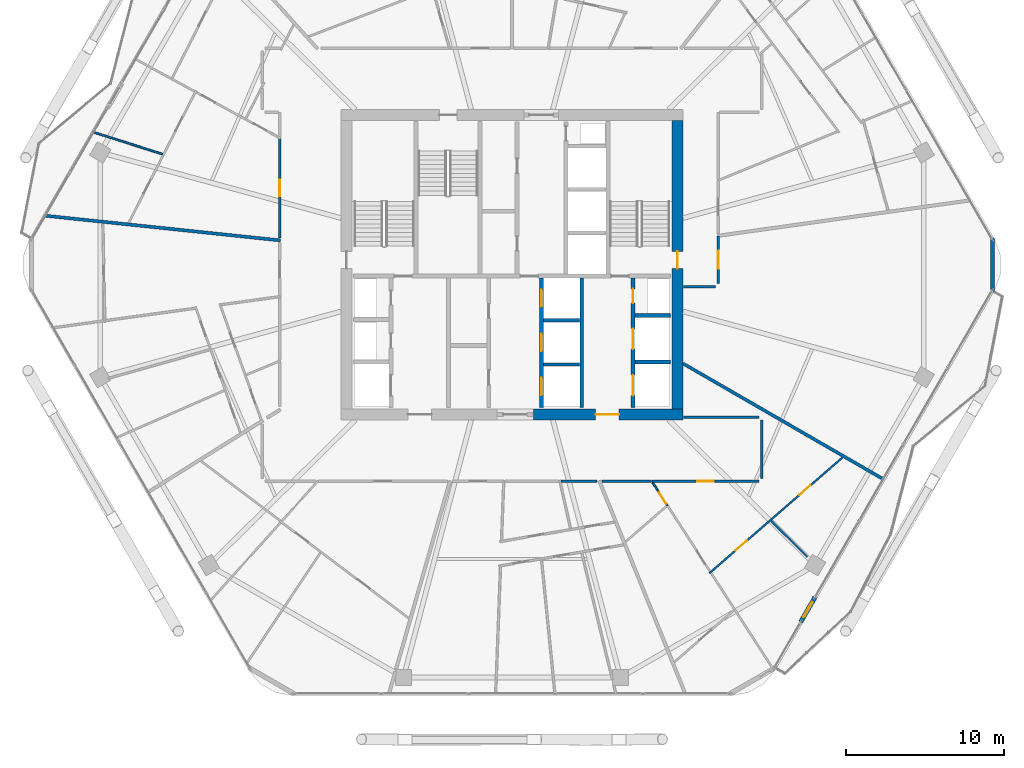
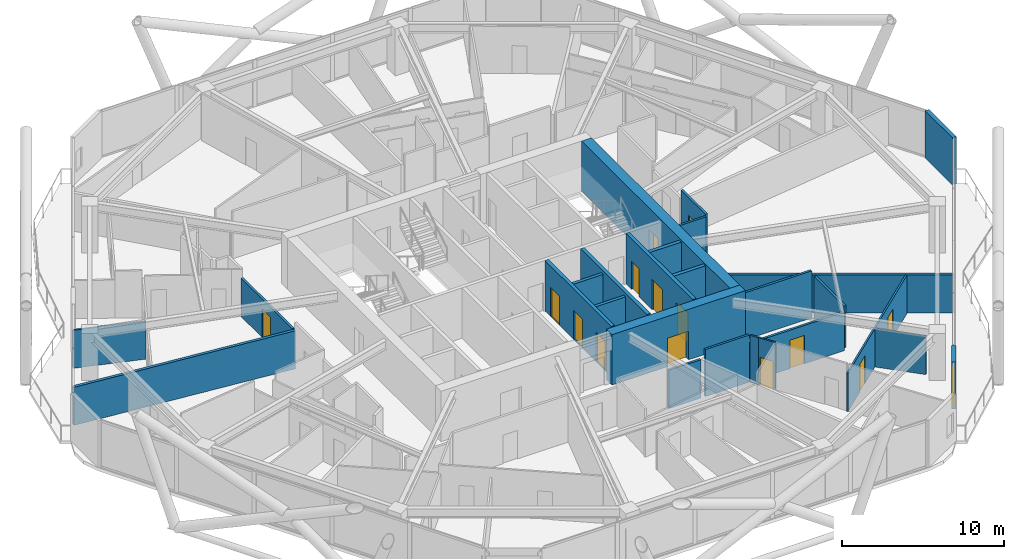
# One storey, part 22 of 28: 26 walls, 15 doors, 15 openings.
"""IFC4 building model written with IfcOpenShell, lengths in metres."""

import ifcopenshell
import ifcopenshell.guid

model = None  # the IFC model being written
_history = None  # IfcOwnerHistory: only IFC2X3 demands one
_inside = {}  # id of a spatial element -> (the spatial element, [elements in it])
_under = {}  # id of a project, library or spatial element -> (it, [spatial elements below it])
_declared = {}  # id of a project -> (the project, [libraries it declares])
_typed = {}  # id of a type object -> (the type object, [elements of that type])
_made_of = {}  # id of a material, layer set ... -> (it, [elements and type objects made of it])


def new_model(schema):
    """Start an empty IFC model of exactly this schema.

    Asked for "IFC4X3", IfcOpenShell would pick the latest addendum, in which some entities
    have other attributes; the version numbers below select the first issue.
    IFC2X3 requires an IfcOwnerHistory on every rooted entity: one is made here for all.
    """
    global model, _history
    if schema == "IFC4X3":
        model = ifcopenshell.file(schema_version=(4, 3, 0, 0))
    else:
        model = ifcopenshell.file(schema=schema)
    _inside.clear()
    _under.clear()
    _declared.clear()
    _typed.clear()
    _made_of.clear()
    _history = None
    if model.schema == "IFC2X3":
        org = make("IfcOrganization", Name="unknown")
        user = make(
            "IfcPersonAndOrganization",
            ThePerson=make("IfcPerson", FamilyName="unknown"),
            TheOrganization=org,
        )
        app = make(
            "IfcApplication",
            ApplicationDeveloper=org,
            Version="unknown",
            ApplicationFullName="unknown",
            ApplicationIdentifier="unknown",
        )
        _history = make(
            "IfcOwnerHistory",
            OwningUser=user,
            OwningApplication=app,
            ChangeAction="ADDED",
            CreationDate=0,
        )
    return model


def make(cls, **values):
    """One entity of the class cls with the attributes given. An attribute that is None is left unset."""
    return model.create_entity(
        cls, **{name: value for name, value in values.items() if value is not None}
    )


def rooted(cls, **values):
    """An entity with a GlobalId (a new one), such as an element, a storey or a relation."""
    return make(cls, GlobalId=ifcopenshell.guid.new(), OwnerHistory=_history, **values)


def si_unit(unit_type, name, prefix=None):
    """IfcSIUnit, for example si_unit("LENGTHUNIT", "METRE", prefix="MILLI")."""
    return make("IfcSIUnit", UnitType=unit_type, Prefix=prefix, Name=name)


def assignment(units):
    """IfcUnitAssignment: the units of a project."""
    return None if units is None else make("IfcUnitAssignment", Units=units)


def point(xyz):
    """IfcCartesianPoint."""
    return None if xyz is None else make("IfcCartesianPoint", Coordinates=xyz)


def direction(xyz):
    """IfcDirection."""
    return None if xyz is None else make("IfcDirection", DirectionRatios=xyz)


def frame(location, z_axis=None, x_axis=None):
    """IfcAxis2Placement3D, a coordinate frame: its origin and axes. An axis left out is left unset."""
    return make(
        "IfcAxis2Placement3D",
        Location=point(location),
        Axis=direction(z_axis),
        RefDirection=direction(x_axis),
    )


def frame_2d(location, x_axis=None):
    """IfcAxis2Placement2D, a coordinate frame in the plane: its origin and x axis."""
    return make(
        "IfcAxis2Placement2D", Location=point(location), RefDirection=direction(x_axis)
    )


def origin():
    """The frame at (0, 0, 0) with its axes left unset."""
    return frame((0.0, 0.0, 0.0))


def place(relative_to, where):
    """IfcLocalPlacement: puts the frame where relative to a parent placement (None: the world)."""
    return make(
        "IfcLocalPlacement", PlacementRelTo=relative_to, RelativePlacement=where
    )


def context(
    kind, dimensions, precision=None, world=None, true_north=None, identifier=None
):
    """IfcGeometricRepresentationContext, for example the 3D "Model" context."""
    return make(
        "IfcGeometricRepresentationContext",
        ContextIdentifier=identifier,
        ContextType=kind,
        CoordinateSpaceDimension=dimensions,
        Precision=precision,
        WorldCoordinateSystem=world,
        TrueNorth=true_north,
    )


def subcontext(parent, identifier, kind, view, scale=None):
    """IfcGeometricRepresentationSubContext, for example "Body" below "Model"."""
    return make(
        "IfcGeometricRepresentationSubContext",
        ContextIdentifier=identifier,
        ContextType=kind,
        ParentContext=parent,
        TargetScale=scale,
        TargetView=view,
    )


def project(units=None, contexts=None):
    """IfcProject with its units and contexts."""
    return rooted(
        "IfcProject",
        Name="project",
        RepresentationContexts=contexts,
        UnitsInContext=assignment(units),
    )


def spatial(cls, under=None, at=None, **own):
    """A site, building, storey or space (cls), placed at a placement, below another one or the project."""
    s = rooted(cls, ObjectPlacement=at, **own)
    if under is not None:
        _under.setdefault(under.id(), (under, []))[1].append(s)
    return s


def profile(cls, at=None, kind="AREA", **sizes):
    """A parametric profile (cls). Its sizes go by their IFC names, for example OverallWidth=200.0."""
    return make(cls, ProfileType=kind, Position=at, **sizes)


def rectangle(**sizes):
    """IfcRectangleProfileDef."""
    return profile("IfcRectangleProfileDef", **sizes)


def extrude(swept, where, along, depth):
    """IfcExtrudedAreaSolid: the profile swept, set in the frame where, extruded along a direction by depth."""
    return make(
        "IfcExtrudedAreaSolid",
        SweptArea=swept,
        Position=where,
        ExtrudedDirection=direction(along),
        Depth=depth,
    )


def shape(context_of_items, identifier, shape_type, items):
    """IfcShapeRepresentation: the items that make up one representation, for example the "Body"."""
    return make(
        "IfcShapeRepresentation",
        ContextOfItems=context_of_items,
        RepresentationIdentifier=identifier,
        RepresentationType=shape_type,
        Items=items,
    )


def material(Name=None, Category=None):
    """IfcMaterial."""
    return make("IfcMaterial", Name=Name, Category=Category)


def layer(
    of_material, thickness, ventilated=None, Name=None, Category=None, Priority=None
):
    """IfcMaterialLayer: one layer of a wall or slab, of a material (None: an air gap)."""
    return make(
        "IfcMaterialLayer",
        Material=of_material,
        LayerThickness=thickness,
        IsVentilated=ventilated,
        Name=Name,
        Category=Category,
        Priority=Priority,
    )


def layer_set(layers, Name=None):
    """IfcMaterialLayerSet."""
    return make("IfcMaterialLayerSet", MaterialLayers=layers, LayerSetName=Name)


def made_of(thing, what):
    """Note that an element or type object is made of a material, layer set ...; save() writes the relation."""
    if what is not None:
        _made_of.setdefault(what.id(), (what, []))[1].append(thing)
    return thing


def type_object(cls, material=None, **own):
    """A type object (cls), such as IfcWallType, which elements share."""
    return made_of(rooted(cls, **own), material)


def element(
    cls,
    number,
    at=None,
    inside=None,
    cuts=None,
    type_object=None,
    material=None,
    context=None,
    identifier="Body",
    shape_type=None,
    held_by="IfcProductDefinitionShape",
    body=None,
    shapes=None,
    **own,
):
    """One element of the class cls, such as IfcWall. Its Tag is "e" and its number.

    at: its placement. inside: the storey or other place that contains it. cuts: it is an
    opening in that element (IfcRelVoidsElement). A single representation is given by context,
    identifier, shape_type and body (its items); several are given by shapes. held_by: the class
    of the entity that holds the representations. save() writes the other relations.
    """
    e = rooted(cls, Tag="e%d" % number, ObjectPlacement=at, **own)
    if body is not None:
        shapes = [shape(context, identifier, shape_type, body)]
    if shapes is not None:
        e.Representation = make(held_by, Representations=shapes)
    if inside is not None:
        _inside.setdefault(inside.id(), (inside, []))[1].append(e)
    if cuts is not None:
        rooted(
            "IfcRelVoidsElement", RelatingBuildingElement=cuts, RelatedOpeningElement=e
        )
    if type_object is not None:
        _typed.setdefault(type_object.id(), (type_object, []))[1].append(e)
    return made_of(e, material)


def fill(opening, filler):
    """IfcRelFillsElement: the door or window that sits in an opening."""
    return rooted(
        "IfcRelFillsElement",
        RelatingOpeningElement=opening,
        RelatedBuildingElement=filler,
    )


def aggregate(whole, parts):
    """IfcRelAggregates: a whole, such as a stair, and the parts it consists of."""
    return rooted("IfcRelAggregates", RelatingObject=whole, RelatedObjects=parts)


def save(model, path):
    """Write the relations noted so far, then the file.

    IfcRelAggregates (storeys below a building ...), IfcRelContainedInSpatialStructure (elements
    in a storey), IfcRelDefinesByType, IfcRelAssociatesMaterial and IfcRelDeclares: one each for
    every whole, place, type object, material and project.
    """
    for whole, parts in _under.values():
        aggregate(whole, parts)
    for where, things in _inside.values():
        rooted(
            "IfcRelContainedInSpatialStructure",
            RelatedElements=things,
            RelatingStructure=where,
        )
    for kind, things in _typed.values():
        rooted("IfcRelDefinesByType", RelatedObjects=things, RelatingType=kind)
    for what, things in _made_of.values():
        rooted("IfcRelAssociatesMaterial", RelatedObjects=things, RelatingMaterial=what)
    for by, libraries in _declared.values():
        rooted("IfcRelDeclares", RelatingContext=by, RelatedDefinitions=libraries)
    model.write(path)


model = new_model("IFC4")

# Units and contexts
model_context = context("Model", 3, precision=1e-05, world=origin(), true_north=direction((0.0, 1.0)))
body_context = subcontext(model_context, "Body", "Model", "MODEL_VIEW")
ifc_project = project(units=[si_unit("LENGTHUNIT", "METRE"), si_unit("AREAUNIT", "SQUARE_METRE"), si_unit("VOLUMEUNIT", "CUBIC_METRE"), si_unit("PLANEANGLEUNIT", "RADIAN"), si_unit("MASSUNIT", "GRAM", prefix="KILO")], contexts=[model_context])

# Site, building, storey
site_placement = place(None, origin())
site = spatial("IfcSite", under=ifc_project, at=site_placement, CompositionType="ELEMENT")
building_placement = place(site_placement, origin())
building = spatial("IfcBuilding", under=site, at=building_placement, Name="Zuhravey Tower", CompositionType="ELEMENT")
storey_placement = place(building_placement, frame((0.0, 0.0, 154.199951171875)))
storey = spatial("IfcBuildingStorey", under=building, at=storey_placement, Name="L38", CompositionType="ELEMENT", Elevation=154.199951171875)

# Wall, opening, door
ifc_material_1 = material(Name="Concrete C60/75", Category="concrete")
ifc_layer_1 = layer(ifc_material_1, 0.699951171875)
ifc_layer_set_1 = layer_set([ifc_layer_1], Name="Concrete C60/75")
wall_type_1 = type_object("IfcWallType", Name="Core Shear Wall 700", PredefinedType="SHEAR", material=ifc_layer_set_1)
wall_1_placement = place(storey_placement, frame((37.35009765625, 22.5, 0.0), z_axis=(0.0, 0.0, 1.0), x_axis=(1.0, 0.0, 0.0)))
wall_1 = element("IfcWall", 1, at=wall_1_placement, inside=storey, type_object=wall_type_1, Name="L38 South-East Core Shear Wall CW70", PredefinedType="SHEAR", context=body_context, shape_type="SweptSolid", body=[
    extrude(rectangle(XDim=9.5, YDim=0.699951171875, at=frame_2d((4.75, 0.0))), origin(), (0.0, 0.0, 1.0), 3.800048828125),
])
opening_1_placement = place(wall_1_placement, frame((3.949951171875, 0.0, 0.0)))
opening_1 = element("IfcOpeningElement", 2, at=opening_1_placement, cuts=wall_1, Name="Opening FFD1", PredefinedType="OPENING", context=body_context, shape_type="SweptSolid", body=[
    extrude(rectangle(XDim=1.5, YDim=2.14990234375, at=frame_2d((0.75, 1.074951171875))), frame((0.0, 0.362060546875, 0.0), z_axis=(0.0, -1.0, 0.0), x_axis=(1.0, 0.0, 0.0)), (0.0, 0.0, 1.0), 0.723876953125),
])
ifc_material_2 = material(Name="Galvanised fire-rated steel leaf", Category="steel")
door_type_1 = type_object("IfcDoorType", Name="Firefighting Lobby Double Door 1500x2150", OperationType="DOUBLE_DOOR_SINGLE_SWING", PredefinedType="DOOR", material=ifc_material_2)
door_1_placement = place(opening_1_placement, origin())
door_1 = element("IfcDoor", 3, at=door_1_placement, inside=storey, type_object=door_type_1, Name="L38 Firefighting Lobby East Door", OperationType="DOUBLE_DOOR_SINGLE_SWING", OverallHeight=2.14990234375, OverallWidth=1.5, PredefinedType="DOOR", context=body_context, shape_type="SweptSolid", body=[
    extrude(rectangle(XDim=1.5, YDim=2.14990234375, at=frame_2d((0.75, 1.074951171875))), frame((0.0, 0.02490234375, 0.0), z_axis=(0.0, -1.0, 0.0), x_axis=(1.0, 0.0, 0.0)), (0.0, 0.0, 1.0), 0.050048828125),
])
fill(opening_1, door_1)

wall_2_placement = place(storey_placement, frame((46.5, 22.85009765625, 0.0), z_axis=(0.0, 0.0, 1.0), x_axis=(0.0, 1.0, 0.0)))
wall_2 = element("IfcWall", 4, at=wall_2_placement, inside=storey, type_object=wall_type_1, Name="L38 East Core Shear Wall CW70", PredefinedType="SHEAR", context=body_context, shape_type="SweptSolid", body=[
    extrude(rectangle(XDim=18.2998046875, YDim=0.699951171875, at=frame_2d((9.14990234375, 0.0))), origin(), (0.0, 0.0, 1.0), 3.800048828125),
])
opening_2_placement = place(wall_2_placement, frame((8.89990234375, 0.0, 0.0)))
opening_2 = element("IfcOpeningElement", 5, at=opening_2_placement, cuts=wall_2, Name="Opening STD1", PredefinedType="OPENING", context=body_context, shape_type="SweptSolid", body=[
    extrude(rectangle(XDim=1.10009765625, YDim=2.14990234375, at=frame_2d((0.550048828125, 1.074951171875))), frame((0.0, 0.362060546875, 0.0), z_axis=(0.0, -1.0, 0.0), x_axis=(1.0, 0.0, 0.0)), (0.0, 0.0, 1.0), 0.723876953125),
])
door_type_2 = type_object("IfcDoorType", Name="Protected Stair Fire Door 1100x2150", OperationType="NOTDEFINED", PredefinedType="USERDEFINED", material=ifc_material_2)
door_2_placement = place(opening_2_placement, origin())
door_2 = element("IfcDoor", 6, at=door_2_placement, inside=storey, type_object=door_type_2, Name="L38 Stair ST2 Door", ObjectType="EXITDOOR", OperationType="SINGLE_SWING_LEFT", OverallHeight=2.14990234375, OverallWidth=1.10009765625, PredefinedType="USERDEFINED", context=body_context, shape_type="SweptSolid", body=[
    extrude(rectangle(XDim=1.10009765625, YDim=2.14990234375, at=frame_2d((0.550048828125, 1.074951171875))), frame((0.0, 0.02490234375, 0.0), z_axis=(0.0, -1.0, 0.0), x_axis=(1.0, 0.0, 0.0)), (0.0, 0.0, 1.0), 0.050048828125),
])
fill(opening_2, door_2)

ifc_material_3 = material(Name="Gypsum fire-rated stud partition")
ifc_layer_2 = layer(ifc_material_3, 0.159912109375)
ifc_layer_set_2 = layer_set([ifc_layer_2], Name="Gypsum fire-rated stud partition")
wall_type_2 = type_object("IfcWallType", Name="Corridor Fire Partition 160", PredefinedType="PARTITIONING", material=ifc_layer_set_2)
wall_3_placement = place(storey_placement, frame((21.27001953125, 40.021484375, 0.0), z_axis=(0.0, 0.0, 1.0), x_axis=(0.0, -1.0, 0.0)))
wall_3 = element("IfcWall", 7, at=wall_3_placement, inside=storey, type_object=wall_type_2, Name="L38 IW16 Partition 037", PredefinedType="PARTITIONING", context=body_context, shape_type="SweptSolid", body=[
    extrude(rectangle(XDim=6.322998046875, YDim=0.159912109375, at=frame_2d((3.16162109375, 0.0))), origin(), (0.0, 0.0, 1.0), 2.900146484375),
])
opening_3_placement = place(wall_3_placement, frame((2.63671875, 0.0, 0.0)))
opening_3 = element("IfcOpeningElement", 8, at=opening_3_placement, cuts=wall_3, Name="Opening APD1", PredefinedType="OPENING", context=body_context, shape_type="SweptSolid", body=[
    extrude(rectangle(XDim=1.050048828125, YDim=2.14990234375, at=frame_2d((0.52490234375, 1.074951171875))), frame((0.0, 0.092041015625, 0.0), z_axis=(0.0, -1.0, 0.0), x_axis=(1.0, 0.0, 0.0)), (0.0, 0.0, 1.0), 0.183837890625),
])
ifc_material_4 = material(Name="Solid-core oak fire-rated leaf")
door_type_3 = type_object("IfcDoorType", Name="Apartment Entrance Fire Door 1050x2150", OperationType="NOTDEFINED", PredefinedType="DOOR", material=ifc_material_4)
door_3_placement = place(opening_3_placement, frame((1.050048828125, 0.0, 0.0), z_axis=(0.0, 0.0, 1.0), x_axis=(-1.0, 0.0, 0.0)))
door_3 = element("IfcDoor", 9, at=door_3_placement, inside=storey, type_object=door_type_3, Name="L38 Door 037.1", OperationType="SINGLE_SWING_LEFT", OverallHeight=2.14990234375, OverallWidth=1.050048828125, PredefinedType="DOOR", context=body_context, shape_type="SweptSolid", body=[
    extrude(rectangle(XDim=1.050048828125, YDim=2.14990234375, at=frame_2d((0.52490234375, 1.074951171875))), frame((0.0, 0.02490234375, 0.0), z_axis=(0.0, -1.0, 0.0), x_axis=(1.0, 0.0, 0.0)), (0.0, 0.0, 1.0), 0.050048828125),
])
fill(opening_3, door_3)

wall_4_placement = place(storey_placement, frame((44.892578125, 18.27001953125, 0.0), z_axis=(0.0, 0.0, 1.0), x_axis=(1.0, 0.0, 0.0)))
wall_4 = element("IfcWall", 10, at=wall_4_placement, inside=storey, type_object=wall_type_2, Name="L38 IW16 Partition 054", PredefinedType="PARTITIONING", context=body_context, shape_type="SweptSolid", body=[
    extrude(rectangle(XDim=6.75732421875, YDim=0.159912109375, at=frame_2d((3.378662109375, 0.0))), origin(), (0.0, 0.0, 1.0), 2.900146484375),
])
opening_4_placement = place(wall_4_placement, frame((2.853759765625, 0.0, 0.0)))
opening_4 = element("IfcOpeningElement", 11, at=opening_4_placement, cuts=wall_4, Name="Opening APD1", PredefinedType="OPENING", context=body_context, shape_type="SweptSolid", body=[
    extrude(rectangle(XDim=1.050048828125, YDim=2.14990234375, at=frame_2d((0.52490234375, 1.074951171875))), frame((0.0, 0.092041015625, 0.0), z_axis=(0.0, -1.0, 0.0), x_axis=(1.0, 0.0, 0.0)), (0.0, 0.0, 1.0), 0.183837890625),
])
door_4_placement = place(opening_4_placement, origin())
door_4 = element("IfcDoor", 12, at=door_4_placement, inside=storey, type_object=door_type_3, Name="L38 Door 054.1", OperationType="SINGLE_SWING_LEFT", OverallHeight=2.14990234375, OverallWidth=1.050048828125, PredefinedType="DOOR", context=body_context, shape_type="SweptSolid", body=[
    extrude(rectangle(XDim=1.050048828125, YDim=2.14990234375, at=frame_2d((0.52490234375, 1.074951171875))), frame((0.0, 0.02490234375, 0.0), z_axis=(0.0, -1.0, 0.0), x_axis=(1.0, 0.0, 0.0)), (0.0, 0.0, 1.0), 0.050048828125),
])
fill(opening_4, door_4)

wall_5_placement = place(storey_placement, frame((49.080078125, 30.800048828125, 0.0), z_axis=(0.0, 0.0, 1.0), x_axis=(0.0, 1.0, 0.0)))
wall_5 = element("IfcWall", 13, at=wall_5_placement, inside=storey, type_object=wall_type_2, Name="L38 IW16 Partition 055", PredefinedType="PARTITIONING", context=body_context, shape_type="SweptSolid", body=[
    extrude(rectangle(XDim=3.01806640625, YDim=0.159912109375, at=frame_2d((1.509033203125, 0.0))), origin(), (0.0, 0.0, 1.0), 3.550048828125),
])
opening_5_placement = place(wall_5_placement, frame((0.93408203125, 0.0, 0.0)))
opening_5 = element("IfcOpeningElement", 14, at=opening_5_placement, cuts=wall_5, Name="Opening CLD1", PredefinedType="OPENING", context=body_context, shape_type="SweptSolid", body=[
    extrude(rectangle(XDim=1.14990234375, YDim=2.199951171875, at=frame_2d((0.574951171875, 1.10009765625))), frame((0.0, 0.092041015625, 0.0), z_axis=(0.0, -1.0, 0.0), x_axis=(1.0, 0.0, 0.0)), (0.0, 0.0, 1.0), 0.183837890625),
])
ifc_material_5 = material(Name="Acoustic timber leaf with vision lite", Category="wood")
door_type_4 = type_object("IfcDoorType", Name="Classroom Acoustic Door 1150x2200", OperationType="NOTDEFINED", PredefinedType="DOOR", material=ifc_material_5)
door_5_placement = place(opening_5_placement, frame((1.14990234375, 0.0, 0.0), z_axis=(0.0, 0.0, 1.0), x_axis=(-1.0, 0.0, 0.0)))
door_5 = element("IfcDoor", 15, at=door_5_placement, inside=storey, type_object=door_type_4, Name="L38 Door 055.1", OperationType="SINGLE_SWING_RIGHT", OverallHeight=2.199951171875, OverallWidth=1.14990234375, PredefinedType="DOOR", context=body_context, shape_type="SweptSolid", body=[
    extrude(rectangle(XDim=1.14990234375, YDim=2.199951171875, at=frame_2d((0.574951171875, 1.10009765625))), frame((0.0, 0.02490234375, 0.0), z_axis=(0.0, -1.0, 0.0), x_axis=(1.0, 0.0, 0.0)), (0.0, 0.0, 1.0), 0.050048828125),
])
fill(opening_5, door_5)

# Walls
wall_6_placement = place(storey_placement, frame((39.114013671875, 18.27001953125, 0.0), z_axis=(0.0, 0.0, 1.0), x_axis=(1.0, 0.0, 0.0)))
element("IfcWall", 16, at=wall_6_placement, inside=storey, type_object=wall_type_2, Name="L38 IW16 Partition 128", PredefinedType="PARTITIONING", context=body_context, shape_type="SweptSolid", body=[
    extrude(rectangle(XDim=2.27294921875, YDim=0.159912109375, at=frame_2d((1.136474609375, 0.0))), origin(), (0.0, 0.0, 1.0), 2.900146484375),
])
wall_7_placement = place(storey_placement, frame((51.64990234375, 22.330078125, 0.0), z_axis=(0.0, 0.0, 1.0), x_axis=(-1.0, 0.0, 0.0)))
element("IfcWall", 17, at=wall_7_placement, inside=storey, type_object=wall_type_2, Name="L38 IW16 Partition 129", PredefinedType="PARTITIONING", context=body_context, shape_type="SweptSolid", body=[
    extrude(rectangle(XDim=4.77978515625, YDim=0.159912109375, at=frame_2d((2.389892578125, 0.0))), origin(), (0.0, 0.0, 1.0), 3.550048828125),
])
wall_8_placement = place(storey_placement, frame((51.830078125, 18.449951171875, 0.0), z_axis=(0.0, 0.0, 1.0), x_axis=(0.0, 1.0, 0.0)))
element("IfcWall", 18, at=wall_8_placement, inside=storey, type_object=wall_type_2, Name="L38 IW16 Partition 130", PredefinedType="PARTITIONING", context=body_context, shape_type="SweptSolid", body=[
    extrude(rectangle(XDim=3.699951171875, YDim=0.159912109375, at=frame_2d((1.85009765625, 0.0))), origin(), (0.0, 0.0, 1.0), 3.150146484375),
])
wall_9_placement = place(storey_placement, frame((41.708740234375, 18.27001953125, 0.0), z_axis=(0.0, 0.0, 1.0), x_axis=(1.0, 0.0, 0.0)))
element("IfcWall", 19, at=wall_9_placement, inside=storey, type_object=wall_type_2, Name="L38 IW16 Partition 131", PredefinedType="PARTITIONING", context=body_context, shape_type="SweptSolid", body=[
    extrude(rectangle(XDim=3.13623046875, YDim=0.159912109375, at=frame_2d((1.568115234375, 0.0))), origin(), (0.0, 0.0, 1.0), 3.550048828125),
])
wall_10_placement = place(storey_placement, frame((46.8701171875, 30.6201171875, 0.0), z_axis=(0.0, 0.0, 1.0), x_axis=(1.0, 0.0, 0.0)))
element("IfcWall", 20, at=wall_10_placement, inside=storey, type_object=wall_type_2, Name="L38 IW16 Partition 132", PredefinedType="PARTITIONING", context=body_context, shape_type="SweptSolid", body=[
    extrude(rectangle(XDim=2.02978515625, YDim=0.159912109375, at=frame_2d((1.014892578125, 0.0))), origin(), (0.0, 0.0, 1.0), 3.550048828125),
])

# Wall, opening, door
ifc_material_6 = material(Name="Precast concrete C40/50", Category="concrete")
ifc_layer_3 = layer(ifc_material_6, 0.280029296875)
ifc_layer_set_3 = layer_set([ifc_layer_3], Name="Precast concrete C40/50")
wall_type_3 = type_object("IfcWallType", Name="Crown Architectural Wall 280", PredefinedType="SOLIDWALL", material=ifc_layer_set_3)
wall_11_placement = place(storey_placement, frame((55.21044921875, 10.9072265625, 0.0), z_axis=(0.0, 0.0, 1.0), x_axis=(-0.500041240653, -0.866001592173, 0.0)))
wall_11 = element("IfcWall", 21, at=wall_11_placement, inside=storey, type_object=wall_type_3, Name="L38 Face 6 Facade Pier EW28-1", PredefinedType="SOLIDWALL", context=body_context, shape_type="SweptSolid", body=[
    extrude(rectangle(XDim=1.789794921875, YDim=0.280029296875, at=frame_2d((0.89501953125, 0.0))), origin(), (0.0, 0.0, 1.0), 3.550048828125),
])
opening_6_placement = place(wall_11_placement, frame((0.344970703125, 0.0, 0.0)))
opening_6 = element("IfcOpeningElement", 22, at=opening_6_placement, cuts=wall_11, Name="Opening BLD1", PredefinedType="OPENING", context=body_context, shape_type="SweptSolid", body=[
    extrude(rectangle(XDim=1.10009765625, YDim=2.199951171875, at=frame_2d((0.550048828125, 1.10009765625))), frame((0.0, 0.152099609375, 0.0), z_axis=(0.0, -1.0, 0.0), x_axis=(1.0, 0.0, 0.0)), (0.0, 0.0, 1.0), 0.303955078125),
])
ifc_material_7 = material(Name="Thermally broken aluminium and low-E glass", Category="aluminium")
door_type_5 = type_object("IfcDoorType", Name="Balcony & Sky-Tray Glazed Door 1100x2200", OperationType="NOTDEFINED", PredefinedType="DOOR", material=ifc_material_7)
door_6_placement = place(opening_6_placement, frame((1.10009765625, 0.0, 0.0), z_axis=(0.0, 0.0, 1.0), x_axis=(-1.0, 0.0, 0.0)))
door_6 = element("IfcDoor", 23, at=door_6_placement, inside=storey, type_object=door_type_5, Name="L38 Face 6 Wave Balcony Door", OperationType="SINGLE_SWING_LEFT", OverallHeight=2.199951171875, OverallWidth=1.10009765625, PredefinedType="DOOR", context=body_context, shape_type="SweptSolid", body=[
    extrude(rectangle(XDim=1.10009765625, YDim=2.199951171875, at=frame_2d((0.550048828125, 1.10009765625))), frame((0.0, 0.02490234375, 0.0), z_axis=(0.0, -1.0, 0.0), x_axis=(1.0, 0.0, 0.0)), (0.0, 0.0, 1.0), 0.050048828125),
])
fill(opening_6, door_6)

# Wall
wall_12_placement = place(storey_placement, frame((66.4716796875, 33.6826171875, 0.0), z_axis=(0.0, 0.0, 1.0), x_axis=(0.0, -1.0, 0.0)))
element("IfcWall", 24, at=wall_12_placement, inside=storey, type_object=wall_type_3, Name="L38 Rounded Corner Closure Wall EW28-12", PredefinedType="SOLIDWALL", context=body_context, shape_type="SweptSolid", body=[
    extrude(rectangle(XDim=3.365234375, YDim=0.280029296875, at=frame_2d((1.6826171875, 0.0))), origin(), (0.0, 0.0, 1.0), 3.550048828125),
])

# Wall, openings, doors
ifc_material_8 = material(Name="Concrete C50/60", Category="concrete")
ifc_layer_4 = layer(ifc_material_8, 0.25)
ifc_layer_set_4 = layer_set([ifc_layer_4], Name="Concrete C50/60")
wall_type_4 = type_object("IfcWallType", Name="Firefighting Shaft & Stair Wall 250", PredefinedType="SOLIDWALL", material=ifc_layer_set_4)
wall_13_placement = place(storey_placement, frame((37.875, 22.949951171875, 0.0), z_axis=(0.0, 0.0, 1.0), x_axis=(0.0, 1.0, 0.0)))
wall_13 = element("IfcWall", 25, at=wall_13_placement, inside=storey, type_object=wall_type_4, Name="L38 FW25 Shaft Wall 015", PredefinedType="SOLIDWALL", context=body_context, shape_type="SweptSolid", body=[
    extrude(rectangle(XDim=8.199951171875, YDim=0.25, at=frame_2d((4.10009765625, 0.0))), origin(), (0.0, 0.0, 1.0), 3.800048828125),
])
opening_7_placement = place(wall_13_placement, frame((0.77490234375, 0.0, 0.0)))
opening_7 = element("IfcOpeningElement", 26, at=opening_7_placement, cuts=wall_13, Name="Opening LD1", PredefinedType="OPENING", context=body_context, shape_type="SweptSolid", body=[
    extrude(rectangle(XDim=1.10009765625, YDim=2.199951171875, at=frame_2d((0.550048828125, 1.10009765625))), frame((0.0, 0.136962890625, 0.0), z_axis=(0.0, -1.0, 0.0), x_axis=(1.0, 0.0, 0.0)), (0.0, 0.0, 1.0), 0.27392578125),
])
opening_8_placement = place(wall_13_placement, frame((3.574951171875, 0.0, 0.0)))
opening_8 = element("IfcOpeningElement", 27, at=opening_8_placement, cuts=wall_13, Name="Opening LD1", PredefinedType="OPENING", context=body_context, shape_type="SweptSolid", body=[
    extrude(rectangle(XDim=1.10009765625, YDim=2.199951171875, at=frame_2d((0.550048828125, 1.10009765625))), frame((0.0, 0.136962890625, 0.0), z_axis=(0.0, -1.0, 0.0), x_axis=(1.0, 0.0, 0.0)), (0.0, 0.0, 1.0), 0.27392578125),
])
opening_9_placement = place(wall_13_placement, frame((6.375, 0.0, 0.0)))
opening_9 = element("IfcOpeningElement", 28, at=opening_9_placement, cuts=wall_13, Name="Opening LD1", PredefinedType="OPENING", context=body_context, shape_type="SweptSolid", body=[
    extrude(rectangle(XDim=1.10009765625, YDim=2.199951171875, at=frame_2d((0.550048828125, 1.10009765625))), frame((0.0, 0.136962890625, 0.0), z_axis=(0.0, -1.0, 0.0), x_axis=(1.0, 0.0, 0.0)), (0.0, 0.0, 1.0), 0.27392578125),
])
ifc_material_9 = material(Name="Brushed stainless steel", Category="steel")
door_type_6 = type_object("IfcDoorType", Name="Lift Landing Sliding Door 1100x2200", OperationType="DOUBLE_DOOR_SLIDING", PredefinedType="DOOR", material=ifc_material_9)
door_7_placement = place(opening_7_placement, origin())
door_7 = element("IfcDoor", 29, at=door_7_placement, inside=storey, type_object=door_type_6, Name="L38 Lift PL4 Landing Door", OperationType="DOUBLE_DOOR_SLIDING", OverallHeight=2.199951171875, OverallWidth=1.10009765625, PredefinedType="DOOR", context=body_context, shape_type="SweptSolid", body=[
    extrude(rectangle(XDim=1.10009765625, YDim=2.199951171875, at=frame_2d((0.550048828125, 1.10009765625))), frame((0.0, 0.02490234375, 0.0), z_axis=(0.0, -1.0, 0.0), x_axis=(1.0, 0.0, 0.0)), (0.0, 0.0, 1.0), 0.050048828125),
])
fill(opening_7, door_7)
door_8_placement = place(opening_8_placement, origin())
door_8 = element("IfcDoor", 30, at=door_8_placement, inside=storey, type_object=door_type_6, Name="L38 Lift PL5 Landing Door", OperationType="DOUBLE_DOOR_SLIDING", OverallHeight=2.199951171875, OverallWidth=1.10009765625, PredefinedType="DOOR", context=body_context, shape_type="SweptSolid", body=[
    extrude(rectangle(XDim=1.10009765625, YDim=2.199951171875, at=frame_2d((0.550048828125, 1.10009765625))), frame((0.0, 0.02490234375, 0.0), z_axis=(0.0, -1.0, 0.0), x_axis=(1.0, 0.0, 0.0)), (0.0, 0.0, 1.0), 0.050048828125),
])
fill(opening_8, door_8)
door_9_placement = place(opening_9_placement, origin())
door_9 = element("IfcDoor", 31, at=door_9_placement, inside=storey, type_object=door_type_6, Name="L38 Lift PL6 Landing Door", OperationType="DOUBLE_DOOR_SLIDING", OverallHeight=2.199951171875, OverallWidth=1.10009765625, PredefinedType="DOOR", context=body_context, shape_type="SweptSolid", body=[
    extrude(rectangle(XDim=1.10009765625, YDim=2.199951171875, at=frame_2d((0.550048828125, 1.10009765625))), frame((0.0, 0.02490234375, 0.0), z_axis=(0.0, -1.0, 0.0), x_axis=(1.0, 0.0, 0.0)), (0.0, 0.0, 1.0), 0.050048828125),
])
fill(opening_9, door_9)

# Walls
wall_14_placement = place(storey_placement, frame((40.425048828125, 22.949951171875, 0.0), z_axis=(0.0, 0.0, 1.0), x_axis=(0.0, 1.0, 0.0)))
element("IfcWall", 32, at=wall_14_placement, inside=storey, type_object=wall_type_4, Name="L38 FW25 Shaft Wall 016", PredefinedType="SOLIDWALL", context=body_context, shape_type="SweptSolid", body=[
    extrude(rectangle(XDim=8.199951171875, YDim=0.25, at=frame_2d((4.10009765625, 0.0))), origin(), (0.0, 0.0, 1.0), 3.800048828125),
])
for number, where, z_axis, x_axis, name in (
    (33, (43.800048828125, 25.824951171875, 0.0), (0.0, 0.0, 1.0), (1.0, 0.0, 0.0), "L38 FW25 Shaft Wall 017"),
    (34, (43.800048828125, 28.77490234375, 0.0), (0.0, 0.0, 1.0), (1.0, 0.0, 0.0), "L38 FW25 Shaft Wall 018"),
):
    element("IfcWall", number, at=place(storey_placement, frame(where, z_axis=z_axis, x_axis=x_axis)), inside=storey, type_object=wall_type_4, Name=name, PredefinedType="SOLIDWALL", context=body_context, shape_type="SweptSolid", body=[
        extrude(rectangle(XDim=2.25, YDim=0.25, at=frame_2d((1.125, 0.0))), origin(), (0.0, 0.0, 1.0), 3.800048828125),
    ])

# Wall, openings, doors
wall_15_placement = place(storey_placement, frame((43.675048828125, 22.949951171875, 0.0), z_axis=(0.0, 0.0, 1.0), x_axis=(0.0, 1.0, 0.0)))
wall_15 = element("IfcWall", 35, at=wall_15_placement, inside=storey, type_object=wall_type_4, Name="L38 FW25 Shaft Wall 019", PredefinedType="SOLIDWALL", context=body_context, shape_type="SweptSolid", body=[
    extrude(rectangle(XDim=8.199951171875, YDim=0.25, at=frame_2d((4.10009765625, 0.0))), origin(), (0.0, 0.0, 1.0), 3.800048828125),
])
opening_10_placement = place(wall_15_placement, frame((0.75, 0.0, 0.0)))
opening_10 = element("IfcOpeningElement", 36, at=opening_10_placement, cuts=wall_15, Name="Opening LD2", PredefinedType="OPENING", context=body_context, shape_type="SweptSolid", body=[
    extrude(rectangle(XDim=1.300048828125, YDim=2.300048828125, at=frame_2d((0.64990234375, 1.14990234375))), frame((0.0, 0.136962890625, 0.0), z_axis=(0.0, -1.0, 0.0), x_axis=(1.0, 0.0, 0.0)), (0.0, 0.0, 1.0), 0.27392578125),
])
opening_11_placement = place(wall_15_placement, frame((3.699951171875, 0.0, 0.0)))
opening_11 = element("IfcOpeningElement", 37, at=opening_11_placement, cuts=wall_15, Name="Opening LD2", PredefinedType="OPENING", context=body_context, shape_type="SweptSolid", body=[
    extrude(rectangle(XDim=1.300048828125, YDim=2.300048828125, at=frame_2d((0.64990234375, 1.14990234375))), frame((0.0, 0.136962890625, 0.0), z_axis=(0.0, -1.0, 0.0), x_axis=(1.0, 0.0, 0.0)), (0.0, 0.0, 1.0), 0.27392578125),
])
opening_12_placement = place(wall_15_placement, frame((6.6201171875, 0.0, 0.0)))
opening_12 = element("IfcOpeningElement", 38, at=opening_12_placement, cuts=wall_15, Name="Opening RSD1", PredefinedType="OPENING", context=body_context, shape_type="SweptSolid", body=[
    extrude(rectangle(XDim=0.89990234375, YDim=2.10009765625, at=frame_2d((0.449951171875, 1.050048828125))), frame((0.0, 0.136962890625, 0.0), z_axis=(0.0, -1.0, 0.0), x_axis=(1.0, 0.0, 0.0)), (0.0, 0.0, 1.0), 0.27392578125),
])
door_type_7 = type_object("IfcDoorType", Name="Freight & Stretcher Lift Sliding Door 1300x2300", OperationType="DOUBLE_DOOR_SLIDING", PredefinedType="DOOR", material=ifc_material_9)
door_10_placement = place(opening_10_placement, origin())
door_10 = element("IfcDoor", 39, at=door_10_placement, inside=storey, type_object=door_type_7, Name="L38 Lift FF2 Landing Door", OperationType="DOUBLE_DOOR_SLIDING", OverallHeight=2.300048828125, OverallWidth=1.300048828125, PredefinedType="DOOR", context=body_context, shape_type="SweptSolid", body=[
    extrude(rectangle(XDim=1.300048828125, YDim=2.300048828125, at=frame_2d((0.64990234375, 1.14990234375))), frame((0.0, 0.02490234375, 0.0), z_axis=(0.0, -1.0, 0.0), x_axis=(1.0, 0.0, 0.0)), (0.0, 0.0, 1.0), 0.050048828125),
])
fill(opening_10, door_10)
door_11_placement = place(opening_11_placement, origin())
door_11 = element("IfcDoor", 40, at=door_11_placement, inside=storey, type_object=door_type_7, Name="L38 Lift SV1 Landing Door", OperationType="DOUBLE_DOOR_SLIDING", OverallHeight=2.300048828125, OverallWidth=1.300048828125, PredefinedType="DOOR", context=body_context, shape_type="SweptSolid", body=[
    extrude(rectangle(XDim=1.300048828125, YDim=2.300048828125, at=frame_2d((0.64990234375, 1.14990234375))), frame((0.0, 0.02490234375, 0.0), z_axis=(0.0, -1.0, 0.0), x_axis=(1.0, 0.0, 0.0)), (0.0, 0.0, 1.0), 0.050048828125),
])
fill(opening_11, door_11)
ifc_material_10 = material(Name="Galvanised fire-rated steel access leaf", Category="steel")
door_type_8 = type_object("IfcDoorType", Name="Riser & Shaft Access Fire Door 900x2100", OperationType="NOTDEFINED", PredefinedType="DOOR", material=ifc_material_10)
door_12_placement = place(opening_12_placement, origin())
door_12 = element("IfcDoor", 41, at=door_12_placement, inside=storey, type_object=door_type_8, Name="L38 Plumbing Riser Door", OperationType="SINGLE_SWING_LEFT", OverallHeight=2.10009765625, OverallWidth=0.89990234375, PredefinedType="DOOR", context=body_context, shape_type="SweptSolid", body=[
    extrude(rectangle(XDim=0.89990234375, YDim=2.10009765625, at=frame_2d((0.449951171875, 1.050048828125))), frame((0.0, 0.02490234375, 0.0), z_axis=(0.0, -1.0, 0.0), x_axis=(1.0, 0.0, 0.0)), (0.0, 0.0, 1.0), 0.050048828125),
])
fill(opening_12, door_12)

# Walls
ifc_material_11 = material(Name="Gypsum double-stud party assembly")
ifc_layer_5 = layer(ifc_material_11, 0.199951171875)
ifc_layer_set_5 = layer_set([ifc_layer_5], Name="Gypsum double-stud party assembly")
wall_type_5 = type_object("IfcWallType", Name="Inter-Tenancy Party Wall 200", PredefinedType="PARTITIONING", material=ifc_layer_set_5)
wall_16_placement = place(storey_placement, frame((21.31005859375, 33.5439453125, 0.0), z_axis=(0.0, 0.0, 1.0), x_axis=(-0.994521332404, 0.104533819379, 0.0)))
element("IfcWall", 42, at=wall_16_placement, inside=storey, type_object=wall_type_5, Name="L38 IW20 Partition 085", PredefinedType="PARTITIONING", context=body_context, shape_type="SweptSolid", body=[
    extrude(rectangle(XDim=14.984619140625, YDim=0.199951171875, at=frame_2d((7.4921875, 0.0))), origin(), (0.0, 0.0, 1.0), 2.8701171875),
])
wall_17_placement = place(storey_placement, frame((46.85791015625, 25.731201171875, 0.0), z_axis=(0.0, 0.0, 1.0), x_axis=(0.866024853997, -0.500000952259, 0.0)))
element("IfcWall", 43, at=wall_17_placement, inside=storey, type_object=wall_type_5, Name="L38 IW20 Partition 110", PredefinedType="PARTITIONING", context=body_context, shape_type="SweptSolid", body=[
    extrude(rectangle(XDim=14.6455078125, YDim=0.199951171875, at=frame_2d((7.32275390625, 0.0))), origin(), (0.0, 0.0, 1.0), 2.8701171875),
])
ifc_material_12 = material(Name="Gypsum acoustic stud assembly")
ifc_layer_6 = layer(ifc_material_12, 0.219970703125)
ifc_layer_set_6 = layer_set([ifc_layer_6], Name="Gypsum acoustic stud assembly")
wall_type_6 = type_object("IfcWallType", Name="School Acoustic Compartment Wall 220", PredefinedType="PARTITIONING", material=ifc_layer_set_6)
for number, where, z_axis, x_axis, name in (
    (44, (38.008056640625, 25.675048828125, 0.0), (0.0, 0.0, 1.0), (1.0, 0.0, 0.0), "L38 IW22 Partition 060"),
    (45, (38.008056640625, 28.47509765625, 0.0), (0.0, 0.0, 1.0), (1.0, 0.0, 0.0), "L38 IW22 Partition 061"),
):
    element("IfcWall", number, at=place(storey_placement, frame(where, z_axis=z_axis, x_axis=x_axis)), inside=storey, type_object=wall_type_6, Name=name, PredefinedType="PARTITIONING", context=body_context, shape_type="SweptSolid", body=[
        extrude(rectangle(XDim=2.283935546875, YDim=0.219970703125, at=frame_2d((1.14208984375, 0.0))), origin(), (0.0, 0.0, 1.0), 3.550048828125),
    ])

# Wall, openings, doors
ifc_material_13 = material(Name="Gypsum metal-stud partition")
ifc_layer_7 = layer(ifc_material_13, 0.1201171875)
ifc_layer_set_7 = layer_set([ifc_layer_7], Name="Gypsum metal-stud partition")
wall_type_7 = type_object("IfcWallType", Name="Unit Internal Partition 120", PredefinedType="PARTITIONING", material=ifc_layer_set_7)
wall_18_placement = place(storey_placement, frame((48.5166015625, 12.4384765625, 0.0), z_axis=(0.0, 0.0, 1.0), x_axis=(0.754704710889, 0.656064630476, 0.0)))
wall_18 = element("IfcWall", 46, at=wall_18_placement, inside=storey, type_object=wall_type_7, Name="L38 IW12 Partition 049", PredefinedType="PARTITIONING", context=body_context, shape_type="SweptSolid", body=[
    extrude(rectangle(XDim=11.179931640625, YDim=0.1201171875, at=frame_2d((5.58984375, 0.0))), origin(), (0.0, 0.0, 1.0), 2.900146484375),
])
opening_13_placement = place(wall_18_placement, frame((2.2080078125, 0.0, 0.0)))
opening_13 = element("IfcOpeningElement", 47, at=opening_13_placement, cuts=wall_18, Name="Opening IND1", PredefinedType="OPENING", context=body_context, shape_type="SweptSolid", body=[
    extrude(rectangle(XDim=0.949951171875, YDim=2.10009765625, at=frame_2d((0.47509765625, 1.050048828125))), frame((0.0, 0.072021484375, 0.0), z_axis=(0.0, -1.0, 0.0), x_axis=(1.0, 0.0, 0.0)), (0.0, 0.0, 1.0), 0.14404296875),
])
opening_14_placement = place(wall_18_placement, frame((7.557861328125, 0.0, 0.0)))
opening_14 = element("IfcOpeningElement", 48, at=opening_14_placement, cuts=wall_18, Name="Opening IND1", PredefinedType="OPENING", context=body_context, shape_type="SweptSolid", body=[
    extrude(rectangle(XDim=0.949951171875, YDim=2.10009765625, at=frame_2d((0.47509765625, 1.050048828125))), frame((0.0, 0.072021484375, 0.0), z_axis=(0.0, -1.0, 0.0), x_axis=(1.0, 0.0, 0.0)), (0.0, 0.0, 1.0), 0.14404296875),
])
ifc_material_14 = material(Name="Painted engineered timber leaf", Category="wood")
door_type_9 = type_object("IfcDoorType", Name="Internal Room & Bedroom Door 950x2100", OperationType="NOTDEFINED", PredefinedType="DOOR", material=ifc_material_14)
door_13_placement = place(opening_13_placement, frame((0.949951171875, 0.0, 0.0), z_axis=(0.0, 0.0, 1.0), x_axis=(-1.0, 0.0, 0.0)))
door_13 = element("IfcDoor", 49, at=door_13_placement, inside=storey, type_object=door_type_9, Name="Apartment L38-08 Family Study Door", OperationType="SINGLE_SWING_RIGHT", OverallHeight=2.10009765625, OverallWidth=0.949951171875, PredefinedType="DOOR", context=body_context, shape_type="SweptSolid", body=[
    extrude(rectangle(XDim=0.949951171875, YDim=2.10009765625, at=frame_2d((0.47509765625, 1.050048828125))), frame((0.0, 0.02490234375, 0.0), z_axis=(0.0, -1.0, 0.0), x_axis=(1.0, 0.0, 0.0)), (0.0, 0.0, 1.0), 0.050048828125),
])
fill(opening_13, door_13)
door_14_placement = place(opening_14_placement, frame((0.949951171875, 0.0, 0.0), z_axis=(0.0, 0.0, 1.0), x_axis=(-1.0, 0.0, 0.0)))
door_14 = element("IfcDoor", 50, at=door_14_placement, inside=storey, type_object=door_type_9, Name="Apartment L38-08 Dining Room Door", OperationType="SINGLE_SWING_LEFT", OverallHeight=2.10009765625, OverallWidth=0.949951171875, PredefinedType="DOOR", context=body_context, shape_type="SweptSolid", body=[
    extrude(rectangle(XDim=0.949951171875, YDim=2.10009765625, at=frame_2d((0.47509765625, 1.050048828125))), frame((0.0, 0.02490234375, 0.0), z_axis=(0.0, -1.0, 0.0), x_axis=(1.0, 0.0, 0.0)), (0.0, 0.0, 1.0), 0.050048828125),
])
fill(opening_14, door_14)

# Wall, opening, door
wall_19_placement = place(storey_placement, frame((45.23681640625, 17.699951171875, 0.0), z_axis=(0.0, 0.0, 1.0), x_axis=(0.542645136481, -0.839962056199, 0.0)))
wall_19 = element("IfcWall", 51, at=wall_19_placement, inside=storey, type_object=wall_type_7, Name="L38 IW12 Partition 050", PredefinedType="PARTITIONING", context=body_context, shape_type="SweptSolid", body=[
    extrude(rectangle(XDim=1.16943359375, YDim=0.1201171875, at=frame_2d((0.584716796875, 0.0))), origin(), (0.0, 0.0, 1.0), 3.550048828125),
])
opening_15_placement = place(wall_19_placement, frame((0.12109375, 0.0, 0.0)))
opening_15 = element("IfcOpeningElement", 52, at=opening_15_placement, cuts=wall_19, Name="Opening WCD1", PredefinedType="OPENING", context=body_context, shape_type="SweptSolid", body=[
    extrude(rectangle(XDim=0.89990234375, YDim=2.10009765625, at=frame_2d((0.449951171875, 1.050048828125))), frame((0.0, 0.072021484375, 0.0), z_axis=(0.0, -1.0, 0.0), x_axis=(1.0, 0.0, 0.0)), (0.0, 0.0, 1.0), 0.14404296875),
])
ifc_material_15 = material(Name="Moisture-resistant timber leaf", Category="wood")
door_type_10 = type_object("IfcDoorType", Name="Bathroom & WC Internal Door 900x2100", OperationType="NOTDEFINED", PredefinedType="DOOR", material=ifc_material_15)
door_15_placement = place(opening_15_placement, frame((0.89990234375, 0.0, 0.0), z_axis=(0.0, 0.0, 1.0), x_axis=(-1.0, 0.0, 0.0)))
door_15 = element("IfcDoor", 53, at=door_15_placement, inside=storey, type_object=door_type_10, Name="Apartment L38-08 Bathroom Door", OperationType="SINGLE_SWING_RIGHT", OverallHeight=2.10009765625, OverallWidth=0.89990234375, PredefinedType="DOOR", context=body_context, shape_type="SweptSolid", body=[
    extrude(rectangle(XDim=0.89990234375, YDim=2.10009765625, at=frame_2d((0.449951171875, 1.050048828125))), frame((0.0, 0.02490234375, 0.0), z_axis=(0.0, -1.0, 0.0), x_axis=(1.0, 0.0, 0.0)), (0.0, 0.0, 1.0), 0.050048828125),
])
fill(opening_15, door_15)

# Walls
wall_20_placement = place(storey_placement, frame((13.8388671875, 39.01708984375, 0.0), z_axis=(0.0, 0.0, 1.0), x_axis=(-0.953341211611, 0.30189490596, 0.0)))
element("IfcWall", 54, at=wall_20_placement, inside=storey, type_object=wall_type_7, Name="L38 IW12 Partition 080", PredefinedType="PARTITIONING", context=body_context, shape_type="SweptSolid", body=[
    extrude(rectangle(XDim=4.620849609375, YDim=0.1201171875, at=frame_2d((2.310546875, 0.0))), origin(), (0.0, 0.0, 1.0), 2.8701171875),
])
wall_21_placement = place(storey_placement, frame((52.433349609375, 15.753173828125, 0.0), z_axis=(0.0, 0.0, 1.0), x_axis=(0.711123375878, -0.703067240227, 0.0)))
element("IfcWall", 55, at=wall_21_placement, inside=storey, type_object=wall_type_7, Name="L38 IW12 Partition 106", PredefinedType="PARTITIONING", context=body_context, shape_type="SweptSolid", body=[
    extrude(rectangle(XDim=3.24267578125, YDim=0.1201171875, at=frame_2d((1.621337890625, 0.0))), origin(), (0.0, 0.0, 1.0), 2.900146484375),
])
wall_22_placement = place(storey_placement, frame((44.925537109375, 18.181884765625, 0.0), z_axis=(0.0, 0.0, 1.0), x_axis=(0.542562967044, -0.840015134859, 0.0)))
element("IfcWall", 56, at=wall_22_placement, inside=storey, type_object=wall_type_7, Name="L38 IW12 Partition 107", PredefinedType="PARTITIONING", context=body_context, shape_type="SweptSolid", body=[
    extrude(rectangle(XDim=0.57373046875, YDim=0.1201171875, at=frame_2d((0.286865234375, 0.0))), origin(), (0.0, 0.0, 1.0), 3.550048828125),
])

save(model, "model.ifc")
